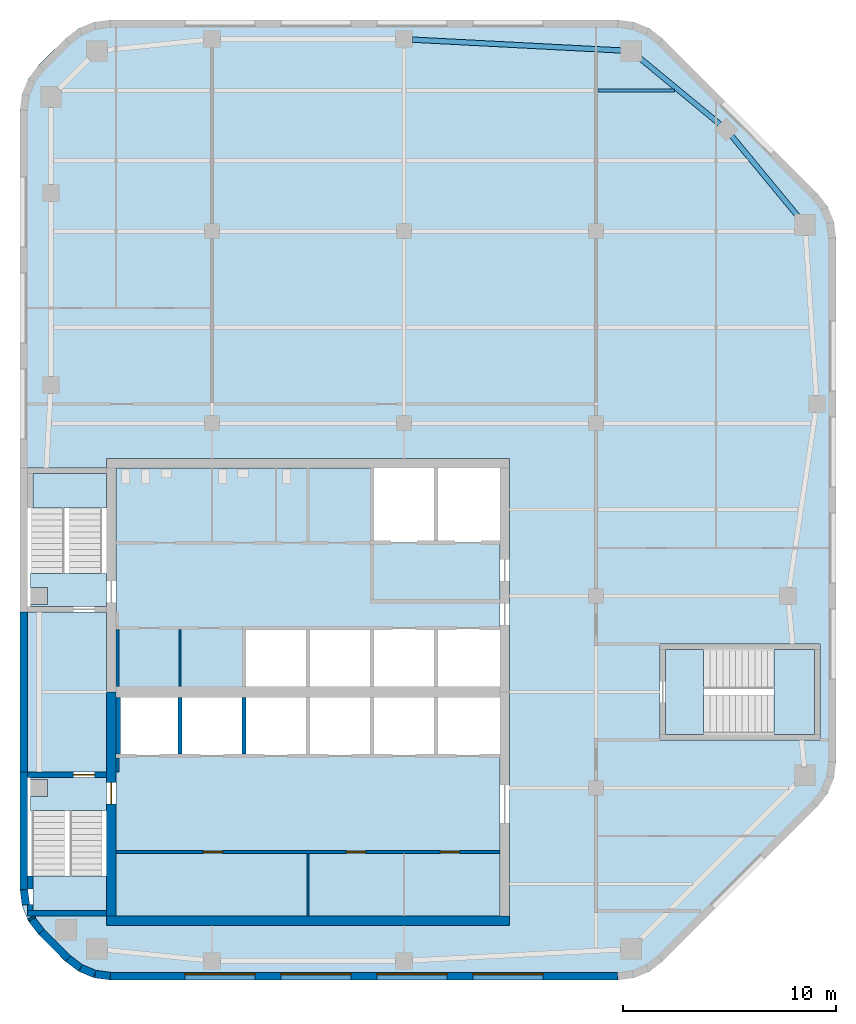
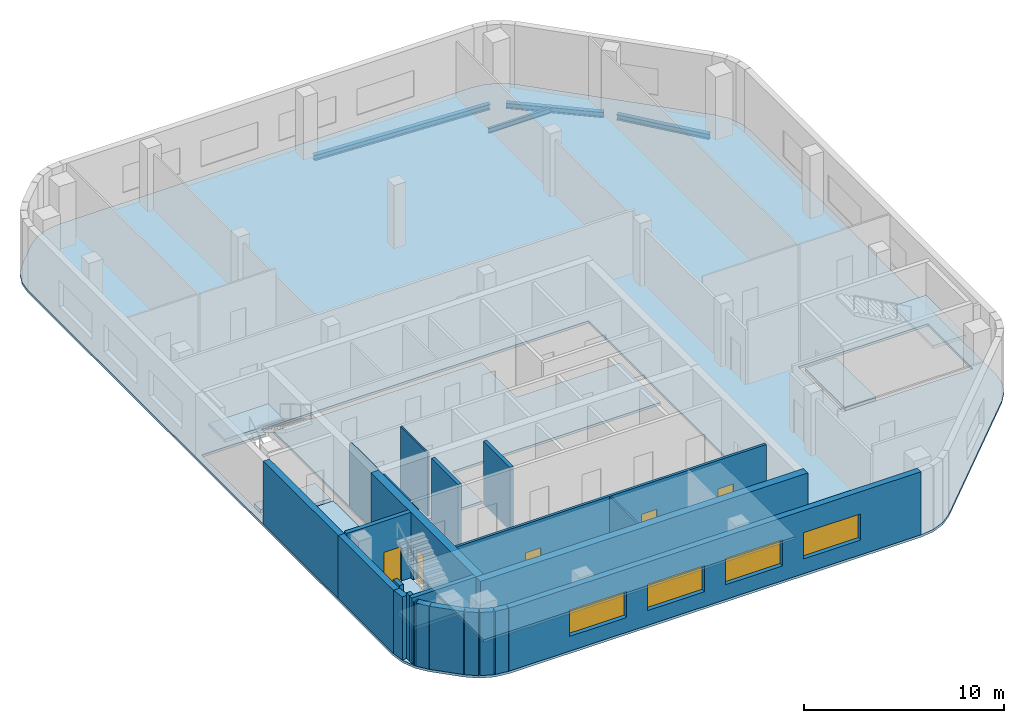
# One storey, part 2 of 7: 24 walls, 9 slabs, 5 doors, 4 beams, 4 windows, 9 openings, 3 elements without a shape of their own.
"""IFC4 building model written with IfcOpenShell, lengths in metres."""

from ifc_helpers import new_model, si_unit, direction, frame, frame_2d, origin, origin_2d, place, context, subcontext, project, spatial, polyline, rectangle, i_section, outline, extrude, material, layer, layer_set, material_profile, profile_set, type_object, element, fill, aggregate, save


model = new_model("IFC4")

# Units and contexts
model_context = context("Model", 3, precision=1e-05, world=origin(), true_north=direction((0.0, 1.0)))
body_context = subcontext(model_context, "Body", "Model", "MODEL_VIEW")
ifc_project = project(units=[si_unit("LENGTHUNIT", "METRE"), si_unit("AREAUNIT", "SQUARE_METRE"), si_unit("VOLUMEUNIT", "CUBIC_METRE"), si_unit("PLANEANGLEUNIT", "RADIAN"), si_unit("MASSUNIT", "GRAM", prefix="KILO")], contexts=[model_context])

# Site, building, storey
site_placement = place(None, origin())
site = spatial("IfcSite", under=ifc_project, at=site_placement, CompositionType="ELEMENT")
building_placement = place(site_placement, origin())
building = spatial("IfcBuilding", under=site, at=building_placement, Name="Cinnabar Reach Civic Tower", CompositionType="ELEMENT")
storey_placement = place(building_placement, frame((0.0, 0.0, 271.0)))
storey = spatial("IfcBuildingStorey", under=building, at=storey_placement, Name="L65", CompositionType="ELEMENT", Elevation=271.0)

# Beams
ifc_material_1 = material(Name="Steel Q355B", Category="steel")
ifc_material_profile_1 = material_profile(ifc_material_1, i_section(OverallWidth=0.25, OverallDepth=0.34, WebThickness=0.009, FlangeThickness=0.014, FilletRadius=0.013, at=origin_2d()), Name="HM340x250x9x14")
ifc_profile_set_1 = profile_set([ifc_material_profile_1], Name="Steel Q355B")
beam_type_1 = type_object("IfcBeamType", Name="HM340x250x9x14 beam R 180", PredefinedType="BEAM", material=ifc_profile_set_1)
for number, where, z_axis, x_axis, name in (
    (1, (36.4818, 53.7801, -0.32), (-0.636303312762, 0.771438976309, 0.0), (-0.771438976309, -0.636303312762, 0.0), "Edge beam T1 L65 9"),
    (2, (32.8486, 58.0822, -0.32), (-0.771438976309, 0.636303312762, 0.0), (-0.636303312762, -0.771438976309, 0.0), "Edge beam T1 L65 10"),
):
    element("IfcBeam", number, at=place(storey_placement, frame(where, z_axis=z_axis, x_axis=x_axis)), inside=storey, type_object=beam_type_1, Name=name, PredefinedType="BEAM", context=body_context, shape_type="SweptSolid", body=[
        extrude(i_section(OverallWidth=0.25, OverallDepth=0.34, WebThickness=0.009, FlangeThickness=0.014, FilletRadius=0.013, at=origin_2d()), origin(), (0.0, 0.0, 1.0), 4.9498),
    ])
beam_1_placement = place(storey_placement, frame((28.2661, 61.5667, -0.32), z_axis=(-0.998653533726, 0.051876001934, 0.0), x_axis=(-0.051876001934, -0.998653533726, 0.0)))
element("IfcBeam", 3, at=beam_1_placement, inside=storey, type_object=beam_type_1, Name="Edge beam T1 L65 11", PredefinedType="BEAM", context=body_context, shape_type="SweptSolid", body=[
    extrude(i_section(OverallWidth=0.25, OverallDepth=0.34, WebThickness=0.009, FlangeThickness=0.014, FilletRadius=0.013, at=origin_2d()), origin(), (0.0, 0.0, 1.0), 9.8774),
])
ifc_material_profile_2 = material_profile(ifc_material_1, i_section(OverallWidth=0.15, OverallDepth=0.3, WebThickness=0.0065, FlangeThickness=0.009, FilletRadius=0.013, at=origin_2d()), Name="HN300x150x6.5x9")
ifc_profile_set_2 = profile_set([ifc_material_profile_2], Name="Steel Q355B")
beam_type_2 = type_object("IfcBeamType", Name="HN300x150x6.5x9 beam R 180", PredefinedType="BEAM", material=ifc_profile_set_2)
beam_2_placement = place(storey_placement, frame((27.102, 59.7, -0.3), z_axis=(1.0, 0.0, 0.0), x_axis=(0.0, 1.0, 0.0)))
element("IfcBeam", 4, at=beam_2_placement, inside=storey, type_object=beam_type_2, Name="Secondary beam T1 L65 19", PredefinedType="BEAM", context=body_context, shape_type="SweptSolid", body=[
    extrude(i_section(OverallWidth=0.15, OverallDepth=0.3, WebThickness=0.0065, FlangeThickness=0.009, FilletRadius=0.013, at=origin_2d()), origin(), (0.0, 0.0, 1.0), 3.5856),
])

# Slab
ifc_material_2 = material(Name="Concrete C40", Category="concrete")
ifc_layer_1 = layer(ifc_material_2, 0.15)
ifc_layer_set_1 = layer_set([ifc_layer_1], Name="Composite floor slab 150 REI 150")
slab_type_1 = type_object("IfcSlabType", Name="Composite floor slab 150 REI 150", PredefinedType="FLOOR", material=ifc_layer_set_1)
slab_1_placement = place(storey_placement, frame((0.0, 0.0, -0.15)))
element("IfcSlab", 5, at=slab_1_placement, inside=storey, type_object=slab_type_1, Name="Composite floor slab 150 T1 L65", PredefinedType="FLOOR", context=body_context, shape_type="SweptSolid", body=[
    extrude(outline(polyline([(0.8787, 20.1213), (0.4019, 20.7426), (0.1022, 21.4662), (0.0, 22.2426), (0.0, 58.7574), (0.1022, 59.5338), (0.4019, 60.2574), (0.8787, 60.8787), (2.1213, 62.1213), (2.7426, 62.5981), (3.4662, 62.8978), (4.2426, 63.0), (28.0074, 63.0), (28.7838, 62.8978), (29.5074, 62.5981), (30.1287, 62.1213), (37.3713, 54.8787), (37.8481, 54.2574), (38.1478, 53.5338), (38.25, 52.7574), (38.25, 28.2426), (38.1478, 27.4662), (37.8481, 26.7426), (37.3713, 26.1213), (30.1287, 18.8787), (29.5074, 18.4019), (28.7838, 18.1022), (28.0074, 18.0), (4.2426, 18.0), (3.4662, 18.1022), (2.7426, 18.4019), (2.1213, 18.8787), (0.8787, 20.1213)]), holes=[polyline([(0.685, 21.0), (4.05, 21.0), (4.05, 20.55), (22.95, 20.55), (22.95, 42.45), (4.05, 42.45), (4.05, 42.0), (0.36, 42.0), (0.36, 35.25), (4.05, 35.25), (4.05, 27.75), (0.36, 27.75), (0.36, 22.2662), (0.453, 21.5602), (0.685, 21.0)]), polyline([(30.0, 33.75), (30.0, 29.25), (37.5, 29.25), (37.5, 33.75), (30.0, 33.75)])]), origin(), (0.0, 0.0, 1.0), 0.15),
])

# Stair, slabs
ifc_material_3 = material(Name="Concrete C40/50", Category="concrete")
stair_type = type_object("IfcStairType", Name="T1 Exit stair, half-turn", PredefinedType="HALF_TURN_STAIR", material=ifc_material_3)
stair_1_placement = place(storey_placement, origin())
stair_1 = element("IfcStair", 6, at=stair_1_placement, inside=storey, type_object=stair_type, Name="Stair T1-S1", PredefinedType="HALF_TURN_STAIR")
ifc_layer_2 = layer(ifc_material_3, 0.2)
ifc_layer_set_2 = layer_set([ifc_layer_2], Name="T1 Stair landing 200, Concrete C40/50")
slab_type_2 = type_object("IfcSlabType", Name="T1 Stair landing 200, Concrete C40/50", PredefinedType="LANDING", material=ifc_layer_set_2)
slab_2_placement = place(storey_placement, frame((0.0, 0.0, -0.2)))
slab_2 = element("IfcSlab", 7, at=slab_2_placement, type_object=slab_type_2, Name="T1-S1 landing 1", PredefinedType="LANDING", context=body_context, shape_type="SweptSolid", body=[
    extrude(outline(polyline([(0.5, 27.5), (4.05, 27.5), (4.05, 25.95), (0.5, 25.95), (0.5, 26.6), (1.3, 26.6), (1.3, 27.4), (0.5, 27.4), (0.5, 27.5)])), origin(), (0.0, 0.0, 1.0), 0.2),
])
slab_3_placement = place(storey_placement, frame((0.0, 0.0, 1.8)))
slab_3 = element("IfcSlab", 8, at=slab_3_placement, type_object=slab_type_2, Name="T1-S1 landing 2", PredefinedType="LANDING", context=body_context, shape_type="SweptSolid", body=[
    extrude(outline(polyline([(0.6, 21.25), (0.6, 22.87), (4.05, 22.87), (4.05, 21.25), (0.6, 21.25)])), origin(), (0.0, 0.0, 1.0), 0.2),
])
aggregate(stair_1, [slab_2, slab_3])

stair_2_placement = place(storey_placement, origin())
stair_2 = element("IfcStair", 9, at=stair_2_placement, inside=storey, type_object=stair_type, Name="Stair T1-S2", PredefinedType="HALF_TURN_STAIR")
slab_4_placement = place(storey_placement, frame((0.0, 0.0, -0.2)))
slab_4 = element("IfcSlab", 10, at=slab_4_placement, type_object=slab_type_2, Name="T1-S2 landing 1", PredefinedType="LANDING", context=body_context, shape_type="SweptSolid", body=[
    extrude(outline(polyline([(0.5, 37.05), (4.05, 37.05), (4.05, 35.5), (0.5, 35.5), (0.5, 35.6), (1.3, 35.6), (1.3, 36.4), (0.5, 36.4), (0.5, 37.05)])), origin(), (0.0, 0.0, 1.0), 0.2),
])
slab_5_placement = place(storey_placement, frame((0.0, 0.0, 1.8)))
slab_5 = element("IfcSlab", 11, at=slab_5_placement, type_object=slab_type_2, Name="T1-S2 landing 2", PredefinedType="LANDING", context=body_context, shape_type="SweptSolid", body=[
    extrude(outline(polyline([(0.6, 40.13), (0.6, 41.75), (4.05, 41.75), (4.05, 40.13), (0.6, 40.13)])), origin(), (0.0, 0.0, 1.0), 0.2),
])
aggregate(stair_2, [slab_4, slab_5])

stair_3_placement = place(storey_placement, origin())
stair_3 = element("IfcStair", 12, at=stair_3_placement, inside=storey, type_object=stair_type, Name="Stair T1-S3", PredefinedType="HALF_TURN_STAIR")
slab_6_placement = place(storey_placement, frame((0.0, 0.0, -0.2)))
slab_6 = element("IfcSlab", 13, at=slab_6_placement, type_object=slab_type_2, Name="T1-S3 landing 1", PredefinedType="LANDING", context=body_context, shape_type="SweptSolid", body=[
    extrude(outline(polyline([(30.25, 29.5), (32.05, 29.5), (32.05, 33.5), (30.25, 33.5), (30.25, 29.5)])), origin(), (0.0, 0.0, 1.0), 0.2),
])
slab_7_placement = place(storey_placement, frame((0.0, 0.0, 1.8)))
slab_7 = element("IfcSlab", 14, at=slab_7_placement, type_object=slab_type_2, Name="T1-S3 landing 2", PredefinedType="LANDING", context=body_context, shape_type="SweptSolid", body=[
    extrude(outline(polyline([(35.35, 29.5), (37.25, 29.5), (37.25, 33.5), (35.35, 33.5), (35.35, 29.5)])), origin(), (0.0, 0.0, 1.0), 0.2),
])
aggregate(stair_3, [slab_6, slab_7])

# Slabs
ifc_layer_3 = layer(ifc_material_3, 0.15)
ifc_layer_set_3 = layer_set([ifc_layer_3], Name="T1 core floor slab 150")
slab_type_3 = type_object("IfcSlabType", Name="T1 core floor slab 150", PredefinedType="FLOOR", material=ifc_layer_set_3)
slab_8_placement = place(storey_placement, frame((0.0, 0.0, -0.15)))
element("IfcSlab", 15, at=slab_8_placement, inside=storey, type_object=slab_type_3, Name="Core floor slab L65", PredefinedType="FLOOR", context=body_context, shape_type="SweptSolid", body=[
    extrude(outline(polyline([(22.5, 21.0), (4.5, 21.0), (4.5, 28.5), (7.5, 28.5), (10.5, 28.5), (13.5, 28.5), (16.5, 28.5), (19.5, 28.5), (22.5, 28.5), (22.5, 21.0)])), origin(), (0.0, 0.0, 1.0), 0.15),
])
slab_9_placement = place(storey_placement, frame((0.0, 0.0, -0.15)))
element("IfcSlab", 16, at=slab_9_placement, inside=storey, type_object=slab_type_3, Name="Core floor slab L65", PredefinedType="FLOOR", context=body_context, shape_type="SweptSolid", body=[
    extrude(outline(polyline([(22.5, 34.5), (19.5, 34.5), (16.5, 34.5), (13.5, 34.5), (10.5, 34.5), (10.5, 31.5), (7.5, 31.5), (4.5, 31.5), (4.5, 42.0), (16.5, 42.0), (16.5, 38.5), (19.5, 38.5), (22.5, 38.5), (22.5, 34.5)])), origin(), (0.0, 0.0, 1.0), 0.15),
])

# Walls
ifc_material_4 = material(Name="Facing brick with insulated backing", Category="masonry")
ifc_layer_4 = layer(ifc_material_4, 0.36)
ifc_layer_set_4 = layer_set([ifc_layer_4], Name="Brick corner wall")
wall_type_1 = type_object("IfcWallType", Name="Brick corner wall", PredefinedType="STANDARD", material=ifc_layer_set_4)
wall_1_placement = place(storey_placement, frame((0.183, 22.2314, 0.0), z_axis=(0.0, 0.0, 1.0), x_axis=(0.13055608231, -0.99144092581, 0.0)))
element("IfcWall", 17, at=wall_1_placement, inside=storey, type_object=wall_type_1, Name="Brick corner wall", PredefinedType="STANDARD", context=body_context, shape_type="SweptSolid", body=[
    extrude(rectangle(XDim=0.7131, YDim=0.36, at=frame_2d((0.3565, 0.0))), origin(), (0.0, 0.0, 1.0), 3.85),
])
wall_2_placement = place(storey_placement, frame((0.5206, 20.9265, 0.0), z_axis=(0.0, 0.0, 1.0), x_axis=(0.382549378284, -0.923935048136, 0.0)))
element("IfcWall", 18, at=wall_2_placement, inside=storey, type_object=wall_type_1, Name="Brick corner wall", PredefinedType="STANDARD", context=body_context, shape_type="SweptSolid", body=[
    extrude(rectangle(XDim=0.0894, YDim=0.36, at=frame_2d((0.0447, 0.0))), origin(), (0.0, 0.0, 1.0), 3.85),
])
for number, where, z_axis, x_axis, name in (
    (19, (0.566, 20.8245, 0.0), (0.0, 0.0, 1.0), (0.608802368033, -0.793321924995, 0.0), "Brick corner wall"),
    (20, (2.2587, 19.0002, 0.0), (0.0, 0.0, 1.0), (0.793321924995, -0.608802368033, 0.0), "Brick corner wall"),
):
    element("IfcWall", number, at=place(storey_placement, frame(where, z_axis=z_axis, x_axis=x_axis)), inside=storey, type_object=wall_type_1, Name=name, PredefinedType="STANDARD", context=body_context, shape_type="SweptSolid", body=[
        extrude(rectangle(XDim=0.7132, YDim=0.36, at=frame_2d((0.3566, 0.0))), origin(), (0.0, 0.0, 1.0), 3.85),
    ])
for number, where, z_axis, x_axis, name in (
    (21, (2.8439, 18.5548, 0.0), (0.0, 0.0, 1.0), (0.923871547278, -0.382702709855, 0.0), "Brick corner wall"),
    (22, (3.5244, 18.2761, 0.0), (0.0, 0.0, 1.0), (0.99144092581, -0.13055608231, 0.0), "Brick corner wall"),
):
    element("IfcWall", number, at=place(storey_placement, frame(where, z_axis=z_axis, x_axis=x_axis)), inside=storey, type_object=wall_type_1, Name=name, PredefinedType="STANDARD", context=body_context, shape_type="SweptSolid", body=[
        extrude(rectangle(XDim=0.7131, YDim=0.36, at=frame_2d((0.3565, 0.0))), origin(), (0.0, 0.0, 1.0), 3.85),
    ])

# Wall, openings, windows
ifc_layer_5 = layer(ifc_material_4, 0.36)
ifc_layer_set_5 = layer_set([ifc_layer_5], Name="Brick pier and spandrel wall")
wall_type_2 = type_object("IfcWallType", Name="Brick pier and spandrel wall", PredefinedType="STANDARD", material=ifc_layer_set_5)
wall_3_placement = place(storey_placement, frame((4.2426, 18.18, 0.0), z_axis=(0.0, 0.0, 1.0), x_axis=(1.0, 0.0, 0.0)))
wall_3 = element("IfcWall", 23, at=wall_3_placement, inside=storey, type_object=wall_type_2, Name="Brick facade wall", PredefinedType="STANDARD", context=body_context, shape_type="SweptSolid", body=[
    extrude(rectangle(XDim=23.7648, YDim=0.36, at=frame_2d((11.8824, 0.0))), origin(), (0.0, 0.0, 1.0), 3.85),
])
opening_1_placement = place(wall_3_placement, frame((3.4824, 0.0, 0.9)))
opening_1 = element("IfcOpeningElement", 24, at=opening_1_placement, cuts=wall_3, Name="Opening W2279", PredefinedType="OPENING", context=body_context, shape_type="SweptSolid", body=[
    extrude(rectangle(XDim=3.3, YDim=1.6, at=frame_2d((1.65, 0.8))), frame((0.0, 0.19, 0.0), z_axis=(0.0, -1.0, 0.0), x_axis=(1.0, 0.0, 0.0)), (0.0, 0.0, 1.0), 0.38),
])
opening_2_placement = place(wall_3_placement, frame((7.9824, 0.0, 0.9)))
opening_2 = element("IfcOpeningElement", 25, at=opening_2_placement, cuts=wall_3, Name="Opening W2280", PredefinedType="OPENING", context=body_context, shape_type="SweptSolid", body=[
    extrude(rectangle(XDim=3.3, YDim=1.6, at=frame_2d((1.65, 0.8))), frame((0.0, 0.19, 0.0), z_axis=(0.0, -1.0, 0.0), x_axis=(1.0, 0.0, 0.0)), (0.0, 0.0, 1.0), 0.38),
])
opening_3_placement = place(wall_3_placement, frame((12.4824, 0.0, 0.9)))
opening_3 = element("IfcOpeningElement", 26, at=opening_3_placement, cuts=wall_3, Name="Opening W2281", PredefinedType="OPENING", context=body_context, shape_type="SweptSolid", body=[
    extrude(rectangle(XDim=3.3, YDim=1.6, at=frame_2d((1.65, 0.8))), frame((0.0, 0.19, 0.0), z_axis=(0.0, -1.0, 0.0), x_axis=(1.0, 0.0, 0.0)), (0.0, 0.0, 1.0), 0.38),
])
opening_4_placement = place(wall_3_placement, frame((16.9824, 0.0, 0.9)))
opening_4 = element("IfcOpeningElement", 27, at=opening_4_placement, cuts=wall_3, Name="Opening W2282", PredefinedType="OPENING", context=body_context, shape_type="SweptSolid", body=[
    extrude(rectangle(XDim=3.3, YDim=1.6, at=frame_2d((1.65, 0.8))), frame((0.0, 0.19, 0.0), z_axis=(0.0, -1.0, 0.0), x_axis=(1.0, 0.0, 0.0)), (0.0, 0.0, 1.0), 0.38),
])
ifc_material_5 = material(Name="Clear double glazing in aluminium frame", Category="aluminium")
window_type = type_object("IfcWindowType", Name="Deep-set window A", PartitioningType="SINGLE_PANEL", PredefinedType="WINDOW", material=ifc_material_5)
window_1_placement = place(opening_1_placement, origin())
window_1 = element("IfcWindow", 28, at=window_1_placement, inside=storey, type_object=window_type, Name="Window south face", OverallHeight=1.6, OverallWidth=3.3, PartitioningType="SINGLE_PANEL", PredefinedType="WINDOW", context=body_context, shape_type="SweptSolid", body=[
    extrude(rectangle(XDim=3.3, YDim=1.6, at=frame_2d((1.65, 0.8))), frame((0.0, 0.13, 0.0), z_axis=(0.0, -1.0, 0.0), x_axis=(1.0, 0.0, 0.0)), (0.0, 0.0, 1.0), 0.06),
])
fill(opening_1, window_1)
window_2_placement = place(opening_2_placement, origin())
window_2 = element("IfcWindow", 29, at=window_2_placement, inside=storey, type_object=window_type, Name="Window south face", OverallHeight=1.6, OverallWidth=3.3, PartitioningType="SINGLE_PANEL", PredefinedType="WINDOW", context=body_context, shape_type="SweptSolid", body=[
    extrude(rectangle(XDim=3.3, YDim=1.6, at=frame_2d((1.65, 0.8))), frame((0.0, 0.13, 0.0), z_axis=(0.0, -1.0, 0.0), x_axis=(1.0, 0.0, 0.0)), (0.0, 0.0, 1.0), 0.06),
])
fill(opening_2, window_2)
window_3_placement = place(opening_3_placement, origin())
window_3 = element("IfcWindow", 30, at=window_3_placement, inside=storey, type_object=window_type, Name="Window south face", OverallHeight=1.6, OverallWidth=3.3, PartitioningType="SINGLE_PANEL", PredefinedType="WINDOW", context=body_context, shape_type="SweptSolid", body=[
    extrude(rectangle(XDim=3.3, YDim=1.6, at=frame_2d((1.65, 0.8))), frame((0.0, 0.13, 0.0), z_axis=(0.0, -1.0, 0.0), x_axis=(1.0, 0.0, 0.0)), (0.0, 0.0, 1.0), 0.06),
])
fill(opening_3, window_3)
window_4_placement = place(opening_4_placement, origin())
window_4 = element("IfcWindow", 31, at=window_4_placement, inside=storey, type_object=window_type, Name="Window south face", OverallHeight=1.6, OverallWidth=3.3, PartitioningType="SINGLE_PANEL", PredefinedType="WINDOW", context=body_context, shape_type="SweptSolid", body=[
    extrude(rectangle(XDim=3.3, YDim=1.6, at=frame_2d((1.65, 0.8))), frame((0.0, 0.13, 0.0), z_axis=(0.0, -1.0, 0.0), x_axis=(1.0, 0.0, 0.0)), (0.0, 0.0, 1.0), 0.06),
])
fill(opening_4, window_4)

# Walls
wall_4_placement = place(storey_placement, frame((0.18, 35.25, 0.0), z_axis=(0.0, 0.0, 1.0), x_axis=(0.0, -1.0, 0.0)))
element("IfcWall", 32, at=wall_4_placement, inside=storey, type_object=wall_type_2, Name="Brick facade wall", PredefinedType="STANDARD", context=body_context, shape_type="SweptSolid", body=[
    extrude(rectangle(XDim=7.5, YDim=0.36, at=frame_2d((3.75, 0.0))), origin(), (0.0, 0.0, 1.0), 3.85),
])
wall_5_placement = place(storey_placement, frame((0.18, 27.75, 0.0), z_axis=(0.0, 0.0, 1.0), x_axis=(0.0, -1.0, 0.0)))
element("IfcWall", 33, at=wall_5_placement, inside=storey, type_object=wall_type_2, Name="Brick facade wall", PredefinedType="STANDARD", context=body_context, shape_type="SweptSolid", body=[
    extrude(rectangle(XDim=5.5074, YDim=0.36, at=frame_2d((2.7537, 0.0))), origin(), (0.0, 0.0, 1.0), 3.85),
])
wall_6_placement = place(storey_placement, frame((1.006, 20.2486, 0.0), z_axis=(0.0, 0.0, 1.0), x_axis=(0.707106781187, -0.707106781187, 0.0)))
element("IfcWall", 34, at=wall_6_placement, inside=storey, type_object=wall_type_2, Name="Brick facade wall", PredefinedType="STANDARD", context=body_context, shape_type="SweptSolid", body=[
    extrude(rectangle(XDim=1.7573, YDim=0.36, at=frame_2d((0.8787, 0.0))), origin(), (0.0, 0.0, 1.0), 3.85),
])
ifc_material_6 = material(Name="Concrete C60", Category="concrete")
ifc_layer_6 = layer(ifc_material_6, 0.45)
ifc_layer_set_6 = layer_set([ifc_layer_6], Name="Core wall 450 EI 180")
wall_type_3 = type_object("IfcWallType", Name="Core wall 450 EI 180", PredefinedType="SOLIDWALL", material=ifc_layer_set_6)
wall_7_placement = place(storey_placement, frame((4.05, 20.775, 0.0), z_axis=(0.0, 0.0, 1.0), x_axis=(1.0, 0.0, 0.0)))
element("IfcWall", 35, at=wall_7_placement, inside=storey, type_object=wall_type_3, Name="Core wall T1 L65 S", PredefinedType="SOLIDWALL", context=body_context, shape_type="SweptSolid", body=[
    extrude(rectangle(XDim=18.9, YDim=0.45, at=frame_2d((9.45, 0.0))), origin(), (0.0, 0.0, 1.0), 4.0),
])

# Wall, opening, door
wall_8_placement = place(storey_placement, frame((4.275, 31.5, 0.0), z_axis=(0.0, 0.0, 1.0), x_axis=(0.0, -1.0, 0.0)))
wall_8 = element("IfcWall", 36, at=wall_8_placement, inside=storey, type_object=wall_type_3, Name="Core wall T1 L65 W2", PredefinedType="SOLIDWALL", context=body_context, shape_type="SweptSolid", body=[
    extrude(rectangle(XDim=10.5, YDim=0.45, at=frame_2d((5.25, 0.0))), origin(), (0.0, 0.0, 1.0), 4.0),
])
opening_5_placement = place(wall_8_placement, frame((4.25, 0.0, 0.0)))
opening_5 = element("IfcOpeningElement", 37, at=opening_5_placement, cuts=wall_8, Name="Opening D5584", PredefinedType="OPENING", context=body_context, shape_type="SweptSolid", body=[
    extrude(rectangle(XDim=1.0, YDim=2.1, at=frame_2d((0.5, 1.05))), frame((0.0, 0.235, 0.0), z_axis=(0.0, -1.0, 0.0), x_axis=(1.0, 0.0, 0.0)), (0.0, 0.0, 1.0), 0.47),
])
ifc_material_7 = material(Name="Timber door leaf in steel frame", Category="steel")
door_type_1 = type_object("IfcDoorType", Name="Stair door 1000 x 2100 T1", OperationType="SINGLE_SWING_LEFT", PredefinedType="DOOR", material=ifc_material_7)
door_1_placement = place(opening_5_placement, frame((1.0, 0.0, 0.0), z_axis=(0.0, 0.0, 1.0), x_axis=(-1.0, 0.0, 0.0)))
door_1 = element("IfcDoor", 38, at=door_1_placement, inside=storey, type_object=door_type_1, Name="Door D5584", OperationType="SINGLE_SWING_RIGHT", OverallHeight=2.1, OverallWidth=1.0, PredefinedType="DOOR", context=body_context, shape_type="SweptSolid", body=[
    extrude(rectangle(XDim=1.0, YDim=2.1, at=frame_2d((0.5, 1.05))), frame((0.0, 0.025, 0.0), z_axis=(0.0, -1.0, 0.0), x_axis=(1.0, 0.0, 0.0)), (0.0, 0.0, 1.0), 0.05),
])
fill(opening_5, door_1)

# Wall, openings, doors
ifc_material_8 = material(Name="Gypsum board on steel studs, double layer", Category="steel")
ifc_layer_7 = layer(ifc_material_8, 0.15)
ifc_layer_set_7 = layer_set([ifc_layer_7], Name="Corridor wall 150 T1")
wall_type_4 = type_object("IfcWallType", Name="Corridor wall 150 T1", PredefinedType="PARTITIONING", material=ifc_layer_set_7)
wall_9_placement = place(storey_placement, frame((4.5, 24.0, 0.0), z_axis=(0.0, 0.0, 1.0), x_axis=(1.0, 0.0, 0.0)))
wall_9 = element("IfcWall", 39, at=wall_9_placement, inside=storey, type_object=wall_type_4, Name="Corridor wall 19", PredefinedType="PARTITIONING", context=body_context, shape_type="SweptSolid", body=[
    extrude(rectangle(XDim=18.0, YDim=0.15, at=frame_2d((9.0, 0.0))), origin(), (0.0, 0.0, 1.0), 3.85),
])
opening_6_placement = place(wall_9_placement, frame((4.1, 0.0, 0.0)))
opening_6 = element("IfcOpeningElement", 40, at=opening_6_placement, cuts=wall_9, Name="Opening D5602", PredefinedType="OPENING", context=body_context, shape_type="SweptSolid", body=[
    extrude(rectangle(XDim=0.9, YDim=2.1, at=frame_2d((0.45, 1.05))), frame((0.0, 0.085, 0.0), z_axis=(0.0, -1.0, 0.0), x_axis=(1.0, 0.0, 0.0)), (0.0, 0.0, 1.0), 0.17),
])
opening_7_placement = place(wall_9_placement, frame((10.8, 0.0, 0.0)))
opening_7 = element("IfcOpeningElement", 41, at=opening_7_placement, cuts=wall_9, Name="Opening D5603", PredefinedType="OPENING", context=body_context, shape_type="SweptSolid", body=[
    extrude(rectangle(XDim=0.9, YDim=2.1, at=frame_2d((0.45, 1.05))), frame((0.0, 0.085, 0.0), z_axis=(0.0, -1.0, 0.0), x_axis=(1.0, 0.0, 0.0)), (0.0, 0.0, 1.0), 0.17),
])
opening_8_placement = place(wall_9_placement, frame((15.2, 0.0, 0.0)))
opening_8 = element("IfcOpeningElement", 42, at=opening_8_placement, cuts=wall_9, Name="Opening D5604", PredefinedType="OPENING", context=body_context, shape_type="SweptSolid", body=[
    extrude(rectangle(XDim=0.9, YDim=2.1, at=frame_2d((0.45, 1.05))), frame((0.0, 0.085, 0.0), z_axis=(0.0, -1.0, 0.0), x_axis=(1.0, 0.0, 0.0)), (0.0, 0.0, 1.0), 0.17),
])
door_type_2 = type_object("IfcDoorType", Name="Single swing door 900 x 2100 corridor T1", OperationType="SINGLE_SWING_LEFT", PredefinedType="DOOR", material=ifc_material_7)
door_2_placement = place(opening_6_placement, frame((0.9, 0.0, 0.0), z_axis=(0.0, 0.0, 1.0), x_axis=(-1.0, 0.0, 0.0)))
door_2 = element("IfcDoor", 43, at=door_2_placement, inside=storey, type_object=door_type_2, Name="Door D5602", OperationType="SINGLE_SWING_RIGHT", OverallHeight=2.1, OverallWidth=0.9, PredefinedType="DOOR", context=body_context, shape_type="SweptSolid", body=[
    extrude(rectangle(XDim=0.9, YDim=2.1, at=frame_2d((0.45, 1.05))), frame((0.0, 0.025, 0.0), z_axis=(0.0, -1.0, 0.0), x_axis=(1.0, 0.0, 0.0)), (0.0, 0.0, 1.0), 0.05),
])
fill(opening_6, door_2)
door_3_placement = place(opening_7_placement, frame((0.9, 0.0, 0.0), z_axis=(0.0, 0.0, 1.0), x_axis=(-1.0, 0.0, 0.0)))
door_3 = element("IfcDoor", 44, at=door_3_placement, inside=storey, type_object=door_type_2, Name="Door D5603", OperationType="SINGLE_SWING_LEFT", OverallHeight=2.1, OverallWidth=0.9, PredefinedType="DOOR", context=body_context, shape_type="SweptSolid", body=[
    extrude(rectangle(XDim=0.9, YDim=2.1, at=frame_2d((0.45, 1.05))), frame((0.0, 0.025, 0.0), z_axis=(0.0, -1.0, 0.0), x_axis=(1.0, 0.0, 0.0)), (0.0, 0.0, 1.0), 0.05),
])
fill(opening_7, door_3)
door_4_placement = place(opening_8_placement, frame((0.9, 0.0, 0.0), z_axis=(0.0, 0.0, 1.0), x_axis=(-1.0, 0.0, 0.0)))
door_4 = element("IfcDoor", 45, at=door_4_placement, inside=storey, type_object=door_type_2, Name="Door D5604", OperationType="SINGLE_SWING_LEFT", OverallHeight=2.1, OverallWidth=0.9, PredefinedType="DOOR", context=body_context, shape_type="SweptSolid", body=[
    extrude(rectangle(XDim=0.9, YDim=2.1, at=frame_2d((0.45, 1.05))), frame((0.0, 0.025, 0.0), z_axis=(0.0, -1.0, 0.0), x_axis=(1.0, 0.0, 0.0)), (0.0, 0.0, 1.0), 0.05),
])
fill(opening_8, door_4)

# Walls
wall_10_placement = place(storey_placement, frame((4.575, 31.75, 0.0), z_axis=(0.0, 0.0, 1.0), x_axis=(0.0, 1.0, 0.0)))
element("IfcWall", 46, at=wall_10_placement, inside=storey, type_object=wall_type_4, Name="Corridor wall 29", PredefinedType="PARTITIONING", context=body_context, shape_type="SweptSolid", body=[
    extrude(rectangle(XDim=2.675, YDim=0.15, at=frame_2d((1.3375, 0.0))), origin(), (0.0, 0.0, 1.0), 3.85),
])
wall_11_placement = place(storey_placement, frame((4.575, 27.75, 0.0), z_axis=(0.0, 0.0, 1.0), x_axis=(0.0, 1.0, 0.0)))
element("IfcWall", 47, at=wall_11_placement, inside=storey, type_object=wall_type_4, Name="Corridor wall 32", PredefinedType="PARTITIONING", context=body_context, shape_type="SweptSolid", body=[
    extrude(rectangle(XDim=0.65, YDim=0.15, at=frame_2d((0.325, 0.0))), origin(), (0.0, 0.0, 1.0), 3.85),
])
ifc_material_9 = material(Name="Blockwork", Category="masonry")
ifc_layer_8 = layer(ifc_material_9, 0.2)
ifc_layer_set_8 = layer_set([ifc_layer_8], Name="Lift shaft wall 200 T1")
wall_type_5 = type_object("IfcWallType", Name="Lift shaft wall 200 T1", PredefinedType="PARTITIONING", material=ifc_layer_set_8)
for number, where, z_axis, x_axis, name in (
    (48, (10.5, 28.6, 0.0), (0.0, 0.0, 1.0), (0.0, 1.0, 0.0), "Lift shaft wall 6"),
    (49, (4.6, 28.6, 0.0), (0.0, 0.0, 1.0), (0.0, 1.0, 0.0), "Lift shaft wall 16"),
    (50, (7.5, 28.6, 0.0), (0.0, 0.0, 1.0), (0.0, 1.0, 0.0), "Lift shaft wall 17"),
):
    element("IfcWall", number, at=place(storey_placement, frame(where, z_axis=z_axis, x_axis=x_axis)), inside=storey, type_object=wall_type_5, Name=name, PredefinedType="PARTITIONING", context=body_context, shape_type="SweptSolid", body=[
        extrude(rectangle(XDim=2.65, YDim=0.2, at=frame_2d((1.325, 0.0))), origin(), (0.0, 0.0, 1.0), 3.85),
    ])
ifc_material_10 = material(Name="Gypsum board on steel studs", Category="steel")
ifc_layer_9 = layer(ifc_material_10, 0.1)
ifc_layer_set_9 = layer_set([ifc_layer_9], Name="Partition wall 100 T1")
wall_type_6 = type_object("IfcWallType", Name="Partition wall 100 T1", PredefinedType="PARTITIONING", material=ifc_layer_set_9)
wall_12_placement = place(storey_placement, frame((7.5, 31.75, 0.0), z_axis=(0.0, 0.0, 1.0), x_axis=(0.0, 1.0, 0.0)))
element("IfcWall", 51, at=wall_12_placement, inside=storey, type_object=wall_type_6, Name="Partition wall 48", PredefinedType="PARTITIONING", context=body_context, shape_type="SweptSolid", body=[
    extrude(rectangle(XDim=2.675, YDim=0.1, at=frame_2d((1.3375, 0.0))), origin(), (0.0, 0.0, 1.0), 3.85),
])
wall_13_placement = place(storey_placement, frame((13.5, 21.0, 0.0), z_axis=(0.0, 0.0, 1.0), x_axis=(0.0, 1.0, 0.0)))
element("IfcWall", 52, at=wall_13_placement, inside=storey, type_object=wall_type_6, Name="Partition wall 49", PredefinedType="PARTITIONING", context=body_context, shape_type="SweptSolid", body=[
    extrude(rectangle(XDim=2.925, YDim=0.1, at=frame_2d((1.4625, 0.0))), origin(), (0.0, 0.0, 1.0), 3.85),
])
ifc_layer_10 = layer(ifc_material_6, 0.25)
ifc_layer_set_10 = layer_set([ifc_layer_10], Name="Stair shaft wall 250 EI 120")
wall_type_7 = type_object("IfcWallType", Name="Stair shaft wall 250 EI 120", PredefinedType="SOLIDWALL", material=ifc_layer_set_10)
wall_14_placement = place(storey_placement, frame((0.36, 21.125, 0.0), z_axis=(0.0, 0.0, 1.0), x_axis=(1.0, 0.0, 0.0)))
element("IfcWall", 53, at=wall_14_placement, inside=storey, type_object=wall_type_7, Name="Stair shaft wall T1-S1 L65", PredefinedType="SOLIDWALL", context=body_context, shape_type="SweptSolid", body=[
    extrude(rectangle(XDim=3.69, YDim=0.25, at=frame_2d((1.845, 0.0))), origin(), (0.0, 0.0, 1.0), 4.0),
])

# Wall, opening, door
wall_15_placement = place(storey_placement, frame((4.05, 27.625, 0.0), z_axis=(0.0, 0.0, 1.0), x_axis=(-1.0, 0.0, 0.0)))
wall_15 = element("IfcWall", 54, at=wall_15_placement, inside=storey, type_object=wall_type_7, Name="Stair shaft wall T1-S1 L65", PredefinedType="SOLIDWALL", context=body_context, shape_type="SweptSolid", body=[
    extrude(rectangle(XDim=3.69, YDim=0.25, at=frame_2d((1.845, 0.0))), origin(), (0.0, 0.0, 1.0), 4.0),
])
opening_9_placement = place(wall_15_placement, frame((0.55, 0.0, 0.0)))
opening_9 = element("IfcOpeningElement", 55, at=opening_9_placement, cuts=wall_15, Name="Opening D5585", PredefinedType="OPENING", context=body_context, shape_type="SweptSolid", body=[
    extrude(rectangle(XDim=1.0, YDim=2.1, at=frame_2d((0.5, 1.05))), frame((0.0, 0.135, 0.0), z_axis=(0.0, -1.0, 0.0), x_axis=(1.0, 0.0, 0.0)), (0.0, 0.0, 1.0), 0.27),
])
door_5_placement = place(opening_9_placement, origin())
door_5 = element("IfcDoor", 56, at=door_5_placement, inside=storey, type_object=door_type_1, Name="Door D5585", OperationType="SINGLE_SWING_LEFT", OverallHeight=2.1, OverallWidth=1.0, PredefinedType="DOOR", context=body_context, shape_type="SweptSolid", body=[
    extrude(rectangle(XDim=1.0, YDim=2.1, at=frame_2d((0.5, 1.05))), frame((0.0, 0.025, 0.0), z_axis=(0.0, -1.0, 0.0), x_axis=(1.0, 0.0, 0.0)), (0.0, 0.0, 1.0), 0.05),
])
fill(opening_9, door_5)

# Walls
ifc_layer_11 = layer(ifc_material_3, 0.24)
ifc_layer_set_11 = layer_set([ifc_layer_11], Name="T1 landing bearer wall 240")
wall_type_8 = type_object("IfcWallType", Name="T1 landing bearer wall 240", PredefinedType="STANDARD", material=ifc_layer_set_11)
wall_16_placement = place(storey_placement, frame((0.48, 21.25, 0.0), z_axis=(0.0, 0.0, 1.0), x_axis=(0.0, 1.0, 0.0)))
element("IfcWall", 57, at=wall_16_placement, inside=storey, type_object=wall_type_8, Name="T1-S1 landing bearer wall", PredefinedType="STANDARD", context=body_context, shape_type="SweptSolid", body=[
    extrude(rectangle(XDim=0.2854, YDim=0.24, at=frame_2d((0.1427, 0.0))), origin(), (0.0, 0.0, 1.0), 4.0),
])
wall_17_placement = place(storey_placement, frame((0.48, 22.2549, 0.0), z_axis=(0.0, 0.0, 1.0), x_axis=(0.0, 1.0, 0.0)))
element("IfcWall", 58, at=wall_17_placement, inside=storey, type_object=wall_type_8, Name="T1-S1 landing bearer wall", PredefinedType="STANDARD", context=body_context, shape_type="SweptSolid", body=[
    extrude(rectangle(XDim=0.6151, YDim=0.24, at=frame_2d((0.3075, 0.0))), origin(), (0.0, 0.0, 1.0), 4.0),
])

save(model, "model.ifc")
